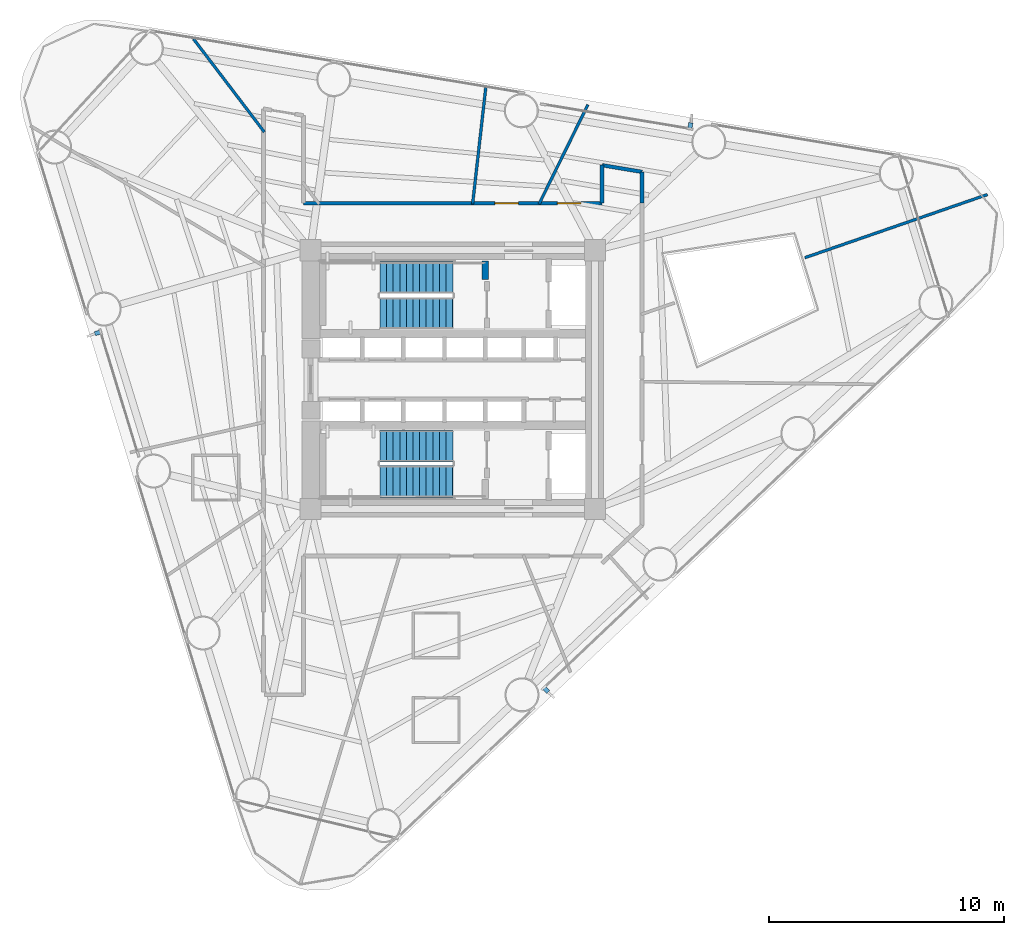
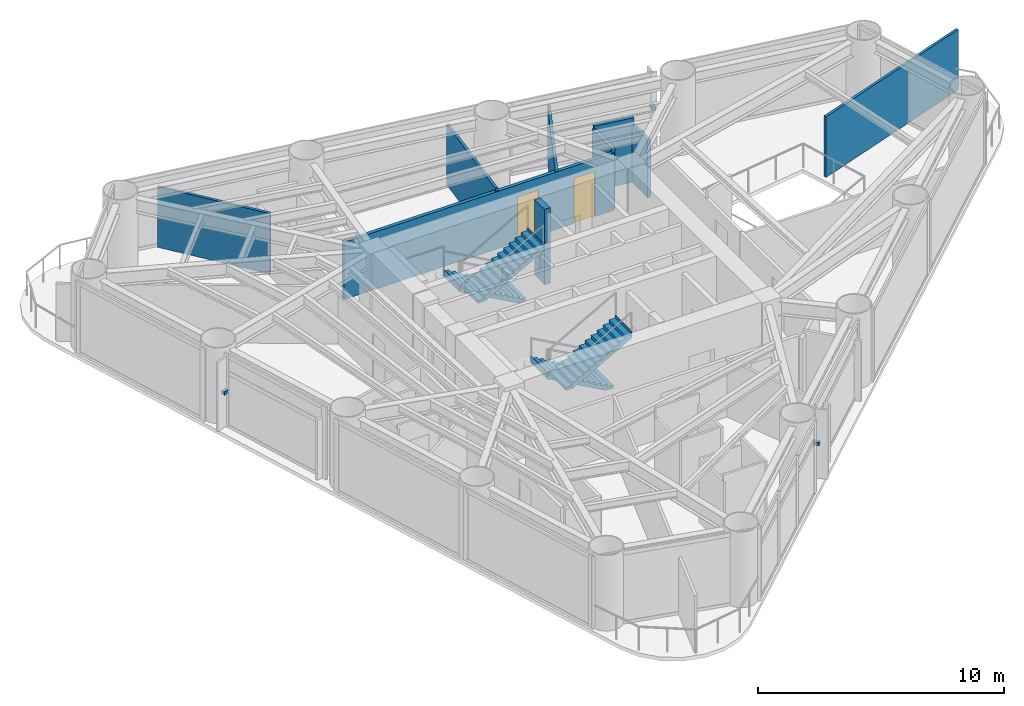
# One storey, part 7 of 10: 9 walls, 4 stair flights, 3 discrete accessories, 2 doors, 2 openings, 2 elements without a shape of their own.
"""IFC4 building model written with IfcOpenShell, lengths in metres."""

import ifcopenshell
import ifcopenshell.guid

model = None  # the IFC model being written
_history = None  # IfcOwnerHistory: only IFC2X3 demands one
_inside = {}  # id of a spatial element -> (the spatial element, [elements in it])
_under = {}  # id of a project, library or spatial element -> (it, [spatial elements below it])
_declared = {}  # id of a project -> (the project, [libraries it declares])
_typed = {}  # id of a type object -> (the type object, [elements of that type])
_made_of = {}  # id of a material, layer set ... -> (it, [elements and type objects made of it])


def new_model(schema):
    """Start an empty IFC model of exactly this schema.

    Asked for "IFC4X3", IfcOpenShell would pick the latest addendum, in which some entities
    have other attributes; the version numbers below select the first issue.
    IFC2X3 requires an IfcOwnerHistory on every rooted entity: one is made here for all.
    """
    global model, _history
    if schema == "IFC4X3":
        model = ifcopenshell.file(schema_version=(4, 3, 0, 0))
    else:
        model = ifcopenshell.file(schema=schema)
    _inside.clear()
    _under.clear()
    _declared.clear()
    _typed.clear()
    _made_of.clear()
    _history = None
    if model.schema == "IFC2X3":
        org = make("IfcOrganization", Name="unknown")
        user = make(
            "IfcPersonAndOrganization",
            ThePerson=make("IfcPerson", FamilyName="unknown"),
            TheOrganization=org,
        )
        app = make(
            "IfcApplication",
            ApplicationDeveloper=org,
            Version="unknown",
            ApplicationFullName="unknown",
            ApplicationIdentifier="unknown",
        )
        _history = make(
            "IfcOwnerHistory",
            OwningUser=user,
            OwningApplication=app,
            ChangeAction="ADDED",
            CreationDate=0,
        )
    return model


def make(cls, **values):
    """One entity of the class cls with the attributes given. An attribute that is None is left unset."""
    return model.create_entity(
        cls, **{name: value for name, value in values.items() if value is not None}
    )


def rooted(cls, **values):
    """An entity with a GlobalId (a new one), such as an element, a storey or a relation."""
    return make(cls, GlobalId=ifcopenshell.guid.new(), OwnerHistory=_history, **values)


def si_unit(unit_type, name, prefix=None):
    """IfcSIUnit, for example si_unit("LENGTHUNIT", "METRE", prefix="MILLI")."""
    return make("IfcSIUnit", UnitType=unit_type, Prefix=prefix, Name=name)


def assignment(units):
    """IfcUnitAssignment: the units of a project."""
    return None if units is None else make("IfcUnitAssignment", Units=units)


def point(xyz):
    """IfcCartesianPoint."""
    return None if xyz is None else make("IfcCartesianPoint", Coordinates=xyz)


def direction(xyz):
    """IfcDirection."""
    return None if xyz is None else make("IfcDirection", DirectionRatios=xyz)


def frame(location, z_axis=None, x_axis=None):
    """IfcAxis2Placement3D, a coordinate frame: its origin and axes. An axis left out is left unset."""
    return make(
        "IfcAxis2Placement3D",
        Location=point(location),
        Axis=direction(z_axis),
        RefDirection=direction(x_axis),
    )


def frame_2d(location, x_axis=None):
    """IfcAxis2Placement2D, a coordinate frame in the plane: its origin and x axis."""
    return make(
        "IfcAxis2Placement2D", Location=point(location), RefDirection=direction(x_axis)
    )


def origin():
    """The frame at (0, 0, 0) with its axes left unset."""
    return frame((0.0, 0.0, 0.0))


def origin_2d():
    """The frame at (0, 0) in the plane with its x axis left unset."""
    return frame_2d((0.0, 0.0))


def place(relative_to, where):
    """IfcLocalPlacement: puts the frame where relative to a parent placement (None: the world)."""
    return make(
        "IfcLocalPlacement", PlacementRelTo=relative_to, RelativePlacement=where
    )


def context(
    kind, dimensions, precision=None, world=None, true_north=None, identifier=None
):
    """IfcGeometricRepresentationContext, for example the 3D "Model" context."""
    return make(
        "IfcGeometricRepresentationContext",
        ContextIdentifier=identifier,
        ContextType=kind,
        CoordinateSpaceDimension=dimensions,
        Precision=precision,
        WorldCoordinateSystem=world,
        TrueNorth=true_north,
    )


def subcontext(parent, identifier, kind, view, scale=None):
    """IfcGeometricRepresentationSubContext, for example "Body" below "Model"."""
    return make(
        "IfcGeometricRepresentationSubContext",
        ContextIdentifier=identifier,
        ContextType=kind,
        ParentContext=parent,
        TargetScale=scale,
        TargetView=view,
    )


def project(units=None, contexts=None):
    """IfcProject with its units and contexts."""
    return rooted(
        "IfcProject",
        Name="project",
        RepresentationContexts=contexts,
        UnitsInContext=assignment(units),
    )


def spatial(cls, under=None, at=None, **own):
    """A site, building, storey or space (cls), placed at a placement, below another one or the project."""
    s = rooted(cls, ObjectPlacement=at, **own)
    if under is not None:
        _under.setdefault(under.id(), (under, []))[1].append(s)
    return s


def polyline(points):
    """IfcPolyline through the points."""
    return make("IfcPolyline", Points=[point(p) for p in points])


def profile(cls, at=None, kind="AREA", **sizes):
    """A parametric profile (cls). Its sizes go by their IFC names, for example OverallWidth=200.0."""
    return make(cls, ProfileType=kind, Position=at, **sizes)


def rectangle(**sizes):
    """IfcRectangleProfileDef."""
    return profile("IfcRectangleProfileDef", **sizes)


def outline(outer, holes=None, kind="AREA"):
    """IfcArbitraryClosedProfileDef: a profile drawn as a closed curve; with holes, ...WithVoids."""
    if holes is None:
        return make("IfcArbitraryClosedProfileDef", ProfileType=kind, OuterCurve=outer)
    return make(
        "IfcArbitraryProfileDefWithVoids",
        ProfileType=kind,
        OuterCurve=outer,
        InnerCurves=holes,
    )


def extrude(swept, where, along, depth):
    """IfcExtrudedAreaSolid: the profile swept, set in the frame where, extruded along a direction by depth."""
    return make(
        "IfcExtrudedAreaSolid",
        SweptArea=swept,
        Position=where,
        ExtrudedDirection=direction(along),
        Depth=depth,
    )


def shape(context_of_items, identifier, shape_type, items):
    """IfcShapeRepresentation: the items that make up one representation, for example the "Body"."""
    return make(
        "IfcShapeRepresentation",
        ContextOfItems=context_of_items,
        RepresentationIdentifier=identifier,
        RepresentationType=shape_type,
        Items=items,
    )


def source(mapping_origin, context_of_items, identifier, shape_type, items):
    """IfcRepresentationMap: a shape defined once, which mapped items show again and again."""
    return make(
        "IfcRepresentationMap",
        MappingOrigin=mapping_origin,
        MappedRepresentation=shape(context_of_items, identifier, shape_type, items),
    )


def transform(
    local_origin,
    x_axis=None,
    y_axis=None,
    z_axis=None,
    scale=None,
    scale2=None,
    scale3=None,
    uniform=True,
):
    """IfcCartesianTransformationOperator3D, or its non-uniform kind. x_axis, y_axis, z_axis: its Axis1, 2, 3."""
    if uniform:
        return make(
            "IfcCartesianTransformationOperator3D",
            Axis1=direction(x_axis),
            Axis2=direction(y_axis),
            LocalOrigin=point(local_origin),
            Scale=scale,
            Axis3=direction(z_axis),
        )
    return make(
        "IfcCartesianTransformationOperator3DnonUniform",
        Axis1=direction(x_axis),
        Axis2=direction(y_axis),
        LocalOrigin=point(local_origin),
        Scale=scale,
        Axis3=direction(z_axis),
        Scale2=scale2,
        Scale3=scale3,
    )


def mapped(mapping_source, mapping_target):
    """IfcMappedItem: shows the shape of a source again, moved by a transform."""
    return make(
        "IfcMappedItem", MappingSource=mapping_source, MappingTarget=mapping_target
    )


def material(Name=None, Category=None):
    """IfcMaterial."""
    return make("IfcMaterial", Name=Name, Category=Category)


def layer(
    of_material, thickness, ventilated=None, Name=None, Category=None, Priority=None
):
    """IfcMaterialLayer: one layer of a wall or slab, of a material (None: an air gap)."""
    return make(
        "IfcMaterialLayer",
        Material=of_material,
        LayerThickness=thickness,
        IsVentilated=ventilated,
        Name=Name,
        Category=Category,
        Priority=Priority,
    )


def layer_set(layers, Name=None):
    """IfcMaterialLayerSet."""
    return make("IfcMaterialLayerSet", MaterialLayers=layers, LayerSetName=Name)


def made_of(thing, what):
    """Note that an element or type object is made of a material, layer set ...; save() writes the relation."""
    if what is not None:
        _made_of.setdefault(what.id(), (what, []))[1].append(thing)
    return thing


def type_object(cls, material=None, **own):
    """A type object (cls), such as IfcWallType, which elements share."""
    return made_of(rooted(cls, **own), material)


def element(
    cls,
    number,
    at=None,
    inside=None,
    cuts=None,
    type_object=None,
    material=None,
    context=None,
    identifier="Body",
    shape_type=None,
    held_by="IfcProductDefinitionShape",
    body=None,
    shapes=None,
    **own,
):
    """One element of the class cls, such as IfcWall. Its Tag is "e" and its number.

    at: its placement. inside: the storey or other place that contains it. cuts: it is an
    opening in that element (IfcRelVoidsElement). A single representation is given by context,
    identifier, shape_type and body (its items); several are given by shapes. held_by: the class
    of the entity that holds the representations. save() writes the other relations.
    """
    e = rooted(cls, Tag="e%d" % number, ObjectPlacement=at, **own)
    if body is not None:
        shapes = [shape(context, identifier, shape_type, body)]
    if shapes is not None:
        e.Representation = make(held_by, Representations=shapes)
    if inside is not None:
        _inside.setdefault(inside.id(), (inside, []))[1].append(e)
    if cuts is not None:
        rooted(
            "IfcRelVoidsElement", RelatingBuildingElement=cuts, RelatedOpeningElement=e
        )
    if type_object is not None:
        _typed.setdefault(type_object.id(), (type_object, []))[1].append(e)
    return made_of(e, material)


def fill(opening, filler):
    """IfcRelFillsElement: the door or window that sits in an opening."""
    return rooted(
        "IfcRelFillsElement",
        RelatingOpeningElement=opening,
        RelatedBuildingElement=filler,
    )


def aggregate(whole, parts):
    """IfcRelAggregates: a whole, such as a stair, and the parts it consists of."""
    return rooted("IfcRelAggregates", RelatingObject=whole, RelatedObjects=parts)


def save(model, path):
    """Write the relations noted so far, then the file.

    IfcRelAggregates (storeys below a building ...), IfcRelContainedInSpatialStructure (elements
    in a storey), IfcRelDefinesByType, IfcRelAssociatesMaterial and IfcRelDeclares: one each for
    every whole, place, type object, material and project.
    """
    for whole, parts in _under.values():
        aggregate(whole, parts)
    for where, things in _inside.values():
        rooted(
            "IfcRelContainedInSpatialStructure",
            RelatedElements=things,
            RelatingStructure=where,
        )
    for kind, things in _typed.values():
        rooted("IfcRelDefinesByType", RelatedObjects=things, RelatingType=kind)
    for what, things in _made_of.values():
        rooted("IfcRelAssociatesMaterial", RelatedObjects=things, RelatingMaterial=what)
    for by, libraries in _declared.values():
        rooted("IfcRelDeclares", RelatingContext=by, RelatedDefinitions=libraries)
    model.write(path)


model = new_model("IFC4")

# Units and contexts
model_context = context("Model", 3, precision=1e-05, world=origin(), true_north=direction((0.0, 1.0)))
body_context = subcontext(model_context, "Body", "Model", "MODEL_VIEW")
ifc_project = project(units=[si_unit("LENGTHUNIT", "METRE"), si_unit("AREAUNIT", "SQUARE_METRE"), si_unit("VOLUMEUNIT", "CUBIC_METRE"), si_unit("PLANEANGLEUNIT", "RADIAN"), si_unit("MASSUNIT", "GRAM", prefix="KILO")], contexts=[model_context])

# Site, building, storey
site_placement = place(None, origin())
site = spatial("IfcSite", under=ifc_project, at=site_placement, CompositionType="ELEMENT")
building_placement = place(site_placement, origin())
building = spatial("IfcBuilding", under=site, at=building_placement, Name="Yunling Apex Tower", CompositionType="ELEMENT")
storey_placement = place(building_placement, frame((0.0, 0.0, 97.39990234375)))
storey = spatial("IfcBuildingStorey", under=building, at=storey_placement, Name="L24", CompositionType="ELEMENT", Elevation=97.39990234375)

# Wall
ifc_material_1 = material(Name="Concrete C40", Category="concrete")
ifc_layer_1 = layer(ifc_material_1, 0.280029296875)
ifc_layer_set_1 = layer_set([ifc_layer_1], Name="Concrete C40")
wall_type_1 = type_object("IfcWallType", Name="WL-COR-8", PredefinedType="SHEAR", material=ifc_layer_set_1)
wall_1_placement = place(storey_placement, frame((1.3798828125, 4.25, 0.0), z_axis=(0.0, 0.0, 1.0), x_axis=(0.0, 1.0, 0.0)))
element("IfcWall", 1, at=wall_1_placement, inside=storey, type_object=wall_type_1, Name="L24 ST-1 East Landing Bearing Pier", PredefinedType="SHEAR", context=body_context, shape_type="SweptSolid", body=[
    extrude(rectangle(XDim=0.800048828125, YDim=0.280029296875, at=frame_2d((0.39990234375, 0.0))), origin(), (0.0, 0.0, 1.0), 3.75),
])

# Wall, openings, doors
ifc_material_2 = material(Name="Gypsum board acoustic partition")
ifc_layer_2 = layer(ifc_material_2, 0.159912109375)
ifc_layer_set_2 = layer_set([ifc_layer_2], Name="Gypsum board acoustic partition")
wall_type_2 = type_object("IfcWallType", Name="WL-PRT-1", PredefinedType="PARTITIONING", material=ifc_layer_set_2)
wall_2_placement = place(storey_placement, frame((-6.35009765625, 7.5, 0.0), z_axis=(0.0, 0.0, 1.0), x_axis=(1.0, 0.0, 0.0)))
wall_2 = element("IfcWall", 2, at=wall_2_placement, inside=storey, type_object=wall_type_2, Name="WL-CORR-L24-06", PredefinedType="PARTITIONING", context=body_context, shape_type="SweptSolid", body=[
    extrude(rectangle(XDim=12.7001953125, YDim=0.159912109375, at=frame_2d((6.35009765625, 0.0))), origin(), (0.0, 0.0, 1.0), 2.85009765625),
])
opening_1_placement = place(wall_2_placement, frame((8.14013671875, 0.0, 0.0)))
opening_1 = element("IfcOpeningElement", 3, at=opening_1_placement, cuts=wall_2, Name="Opening DR-OFF-1", PredefinedType="OPENING", context=body_context, shape_type="SweptSolid", body=[
    extrude(rectangle(XDim=1.0, YDim=2.25, at=frame_2d((0.5, 1.125))), frame((0.0, 0.08984375, 0.0), z_axis=(0.0, -1.0, 0.0), x_axis=(1.0, 0.0, 0.0)), (0.0, 0.0, 1.0), 0.179931640625),
])
opening_2_placement = place(wall_2_placement, frame((10.799072265625, 0.0, 0.0)))
opening_2 = element("IfcOpeningElement", 4, at=opening_2_placement, cuts=wall_2, Name="Opening DR-OFF-1", PredefinedType="OPENING", context=body_context, shape_type="SweptSolid", body=[
    extrude(rectangle(XDim=1.0, YDim=2.25, at=frame_2d((0.5, 1.125))), frame((0.0, 0.08984375, 0.0), z_axis=(0.0, -1.0, 0.0), x_axis=(1.0, 0.0, 0.0)), (0.0, 0.0, 1.0), 0.179931640625),
])
ifc_material_3 = material(Name="Bronze anodised aluminium", Category="aluminium")
door_type = type_object("IfcDoorType", Name="DR-OFF-1", OperationType="NOTDEFINED", PredefinedType="DOOR", material=ifc_material_3)
door_1_placement = place(opening_1_placement, origin())
door_1 = element("IfcDoor", 5, at=door_1_placement, inside=storey, type_object=door_type, Name="L24 Administration Staff Room Door", OperationType="SINGLE_SWING_LEFT", OverallHeight=2.25, OverallWidth=1.0, PredefinedType="DOOR", context=body_context, shape_type="SweptSolid", body=[
    extrude(rectangle(XDim=1.0, YDim=2.25, at=frame_2d((0.5, 1.125))), frame((0.0, 0.02490234375, 0.0), z_axis=(0.0, -1.0, 0.0), x_axis=(1.0, 0.0, 0.0)), (0.0, 0.0, 1.0), 0.050048828125),
])
fill(opening_1, door_1)
door_2_placement = place(opening_2_placement, origin())
door_2 = element("IfcDoor", 6, at=door_2_placement, inside=storey, type_object=door_type, Name="L24 Open Plan Office Door", OperationType="SINGLE_SWING_RIGHT", OverallHeight=2.25, OverallWidth=1.0, PredefinedType="DOOR", context=body_context, shape_type="SweptSolid", body=[
    extrude(rectangle(XDim=1.0, YDim=2.25, at=frame_2d((0.5, 1.125))), frame((0.0, 0.02490234375, 0.0), z_axis=(0.0, -1.0, 0.0), x_axis=(1.0, 0.0, 0.0)), (0.0, 0.0, 1.0), 0.050048828125),
])
fill(opening_2, door_2)

# Walls
wall_3_placement = place(storey_placement, frame((6.35009765625, 7.5, 0.0), z_axis=(0.0, 0.0, 1.0), x_axis=(0.0, 1.0, 0.0)))
element("IfcWall", 7, at=wall_3_placement, inside=storey, type_object=wall_type_2, Name="WL-CORR-L24-07", PredefinedType="PARTITIONING", context=body_context, shape_type="SweptSolid", body=[
    extrude(rectangle(XDim=1.613037109375, YDim=0.159912109375, at=frame_2d((0.806640625, 0.0))), origin(), (0.0, 0.0, 1.0), 3.050048828125),
])
wall_4_placement = place(storey_placement, frame((6.35009765625, 9.113037109375, 0.0), z_axis=(0.0, 0.0, 1.0), x_axis=(0.986405407683, -0.164330069354, 0.0)))
element("IfcWall", 8, at=wall_4_placement, inside=storey, type_object=wall_type_2, Name="WL-CORR-L24-08", PredefinedType="PARTITIONING", context=body_context, shape_type="SweptSolid", body=[
    extrude(rectangle(XDim=1.723388671875, YDim=0.159912109375, at=frame_2d((0.86181640625, 0.0))), origin(), (0.0, 0.0, 1.0), 3.2001953125),
])
wall_5_placement = place(storey_placement, frame((8.050048828125, 8.829833984375, 0.0), z_axis=(0.0, 0.0, 1.0), x_axis=(0.0, -1.0, 0.0)))
element("IfcWall", 9, at=wall_5_placement, inside=storey, type_object=wall_type_2, Name="WL-CORR-L24-09", PredefinedType="PARTITIONING", context=body_context, shape_type="SweptSolid", body=[
    extrude(rectangle(XDim=1.329833984375, YDim=0.159912109375, at=frame_2d((0.6650390625, 0.0))), origin(), (0.0, 0.0, 1.0), 2.85009765625),
])
ifc_layer_3 = layer(ifc_material_2, 0.1201171875)
ifc_layer_set_3 = layer_set([ifc_layer_3], Name="Gypsum board acoustic partition")
wall_type_3 = type_object("IfcWallType", Name="WL-PRT-3", PredefinedType="PARTITIONING", material=ifc_layer_set_3)
wall_6_placement = place(storey_placement, frame((14.96923828125, 5.180908203125, 0.0), z_axis=(0.0, 0.0, 1.0), x_axis=(0.945001266043, 0.327066670843, 0.0)))
element("IfcWall", 10, at=wall_6_placement, inside=storey, type_object=wall_type_3, Name="WL-RAD-L24-09", PredefinedType="PARTITIONING", context=body_context, shape_type="SweptSolid", body=[
    extrude(rectangle(XDim=8.21484375, YDim=0.1201171875, at=frame_2d((4.107421875, 0.0))), origin(), (0.0, 0.0, 1.0), 3.010009765625),
])
wall_7_placement = place(storey_placement, frame((3.667724609375, 7.4599609375, 0.0), z_axis=(0.0, 0.0, 1.0), x_axis=(0.441212238914, 0.897402785951, 0.0)))
element("IfcWall", 11, at=wall_7_placement, inside=storey, type_object=wall_type_3, Name="WL-RAD-L24-10", PredefinedType="PARTITIONING", context=body_context, shape_type="SweptSolid", body=[
    extrude(rectangle(XDim=4.710693359375, YDim=0.1201171875, at=frame_2d((2.35546875, 0.0))), origin(), (0.0, 0.0, 1.0), 2.85009765625),
])
wall_8_placement = place(storey_placement, frame((0.843994140625, 7.4599609375, 0.0), z_axis=(0.0, 0.0, 1.0), x_axis=(0.112405035284, 0.99366247189, 0.0)))
element("IfcWall", 12, at=wall_8_placement, inside=storey, type_object=wall_type_3, Name="WL-RAD-L24-11", PredefinedType="PARTITIONING", context=body_context, shape_type="SweptSolid", body=[
    extrude(rectangle(XDim=4.982421875, YDim=0.1201171875, at=frame_2d((2.4912109375, 0.0))), origin(), (0.0, 0.0, 1.0), 3.010009765625),
])
wall_9_placement = place(storey_placement, frame((-8.010009765625, 10.52490234375, 0.0), z_axis=(0.0, 0.0, 1.0), x_axis=(-0.605587414203, 0.79577879072, 0.0)))
element("IfcWall", 13, at=wall_9_placement, inside=storey, type_object=wall_type_3, Name="WL-RAD-L24-13", PredefinedType="PARTITIONING", context=body_context, shape_type="SweptSolid", body=[
    extrude(rectangle(XDim=4.9716796875, YDim=0.1201171875, at=frame_2d((2.48583984375, 0.0))), origin(), (0.0, 0.0, 1.0), 3.010009765625),
])

# Stair, stair flights
stair_type = type_object("IfcStairType", Name="ST-TWR-1", PredefinedType="HALF_TURN_STAIR", material=ifc_material_1)
stair_1_placement = place(storey_placement, origin())
stair_1 = element("IfcStair", 14, at=stair_1_placement, inside=storey, type_object=stair_type, Name="L24 North Core Smokeproof Exit Stair ST-1", PredefinedType="HALF_TURN_STAIR")
stair_flight_type = type_object("IfcStairFlightType", Name="SFL-TWR-1", PredefinedType="STRAIGHT", material=ifc_material_1)
stair_flight_1_placement = place(storey_placement, frame((-0.010009765625, 4.330078125, 0.0), z_axis=(0.0, 0.0, 1.0), x_axis=(-1.0, 0.0, 0.0)))
stair_flight_1 = element("IfcStairFlight", 15, at=stair_flight_1_placement, type_object=stair_flight_type, Name="ST-1 flight 1", NumberOfRisers=12, NumberOfTreads=11, PredefinedType="STRAIGHT", RiserHeight=0.15625, TreadLength=0.28, context=body_context, shape_type="SweptSolid", body=[
    extrude(outline(polyline([(-0.011962890625, 0.0), (-0.011962890625, 0.15625), (0.0, 0.15625), (0.280029296875, 0.15625), (0.280029296875, 0.3125), (0.56005859375, 0.3125), (0.56005859375, 0.46875), (0.840087890625, 0.46875), (0.840087890625, 0.625), (1.1201171875, 0.625), (1.1201171875, 0.78125), (1.39990234375, 0.78125), (1.39990234375, 0.9375), (1.679931640625, 0.9375), (1.679931640625, 1.09375), (1.9599609375, 1.09375), (1.9599609375, 1.25), (2.239990234375, 1.25), (2.239990234375, 1.40625), (2.52001953125, 1.40625), (2.52001953125, 1.5625), (2.800048828125, 1.5625), (2.800048828125, 1.71875), (3.080078125, 1.71875), (3.080078125, 1.875), (3.092041015625, 1.875), (3.092041015625, 1.53564453125), (0.328125, 0.0), (-0.011962890625, 0.0)])), frame((0.0, 0.68017578125, 0.0), z_axis=(0.0, -1.0, 0.0), x_axis=(1.0, 0.0, 0.0)), (0.0, 0.0, 1.0), 1.360107421875),
])
stair_flight_2_placement = place(storey_placement, frame((-3.090087890625, 2.820068359375, 1.875), z_axis=(0.0, 0.0, 1.0), x_axis=(1.0, 0.0, 0.0)))
stair_flight_2 = element("IfcStairFlight", 16, at=stair_flight_2_placement, type_object=stair_flight_type, Name="ST-1 flight 2", NumberOfRisers=12, NumberOfTreads=11, PredefinedType="STRAIGHT", RiserHeight=0.15625, TreadLength=0.28, context=body_context, shape_type="SweptSolid", body=[
    extrude(outline(polyline([(-0.011962890625, 0.0), (-0.011962890625, 0.15625), (0.0, 0.15625), (0.280029296875, 0.15625), (0.280029296875, 0.3125), (0.56005859375, 0.3125), (0.56005859375, 0.46875), (0.840087890625, 0.46875), (0.840087890625, 0.625), (1.1201171875, 0.625), (1.1201171875, 0.78125), (1.39990234375, 0.78125), (1.39990234375, 0.9375), (1.679931640625, 0.9375), (1.679931640625, 1.09375), (1.9599609375, 1.09375), (1.9599609375, 1.25), (2.239990234375, 1.25), (2.239990234375, 1.40625), (2.52001953125, 1.40625), (2.52001953125, 1.5625), (2.800048828125, 1.5625), (2.800048828125, 1.71875), (3.080078125, 1.71875), (3.080078125, 1.875), (3.092041015625, 1.875), (3.092041015625, 1.53564453125), (0.328125, 0.0), (-0.011962890625, 0.0)])), frame((0.0, 0.68017578125, 0.0), z_axis=(0.0, -1.0, 0.0), x_axis=(1.0, 0.0, 0.0)), (0.0, 0.0, 1.0), 1.360107421875),
])
aggregate(stair_1, [stair_flight_1, stair_flight_2])

stair_2_placement = place(storey_placement, origin())
stair_2 = element("IfcStair", 17, at=stair_2_placement, inside=storey, type_object=stair_type, Name="L24 South Core Smokeproof Exit Stair ST-2", PredefinedType="HALF_TURN_STAIR")
stair_flight_3_placement = place(storey_placement, frame((-0.010009765625, -2.820068359375, 0.0), z_axis=(0.0, 0.0, 1.0), x_axis=(-1.0, 0.0, 0.0)))
stair_flight_3 = element("IfcStairFlight", 18, at=stair_flight_3_placement, type_object=stair_flight_type, Name="ST-2 flight 1", NumberOfRisers=12, NumberOfTreads=11, PredefinedType="STRAIGHT", RiserHeight=0.15625, TreadLength=0.28, context=body_context, shape_type="SweptSolid", body=[
    extrude(outline(polyline([(-0.011962890625, 0.0), (-0.011962890625, 0.15625), (0.0, 0.15625), (0.280029296875, 0.15625), (0.280029296875, 0.3125), (0.56005859375, 0.3125), (0.56005859375, 0.46875), (0.840087890625, 0.46875), (0.840087890625, 0.625), (1.1201171875, 0.625), (1.1201171875, 0.78125), (1.39990234375, 0.78125), (1.39990234375, 0.9375), (1.679931640625, 0.9375), (1.679931640625, 1.09375), (1.9599609375, 1.09375), (1.9599609375, 1.25), (2.239990234375, 1.25), (2.239990234375, 1.40625), (2.52001953125, 1.40625), (2.52001953125, 1.5625), (2.800048828125, 1.5625), (2.800048828125, 1.71875), (3.080078125, 1.71875), (3.080078125, 1.875), (3.092041015625, 1.875), (3.092041015625, 1.53564453125), (0.328125, 0.0), (-0.011962890625, 0.0)])), frame((0.0, 0.68017578125, 0.0), z_axis=(0.0, -1.0, 0.0), x_axis=(1.0, 0.0, 0.0)), (0.0, 0.0, 1.0), 1.360107421875),
])
stair_flight_4_placement = place(storey_placement, frame((-3.090087890625, -4.330078125, 1.875), z_axis=(0.0, 0.0, 1.0), x_axis=(1.0, 0.0, 0.0)))
stair_flight_4 = element("IfcStairFlight", 19, at=stair_flight_4_placement, type_object=stair_flight_type, Name="ST-2 flight 2", NumberOfRisers=12, NumberOfTreads=11, PredefinedType="STRAIGHT", RiserHeight=0.15625, TreadLength=0.28, context=body_context, shape_type="SweptSolid", body=[
    extrude(outline(polyline([(-0.011962890625, 0.0), (-0.011962890625, 0.15625), (0.0, 0.15625), (0.280029296875, 0.15625), (0.280029296875, 0.3125), (0.56005859375, 0.3125), (0.56005859375, 0.46875), (0.840087890625, 0.46875), (0.840087890625, 0.625), (1.1201171875, 0.625), (1.1201171875, 0.78125), (1.39990234375, 0.78125), (1.39990234375, 0.9375), (1.679931640625, 0.9375), (1.679931640625, 1.09375), (1.9599609375, 1.09375), (1.9599609375, 1.25), (2.239990234375, 1.25), (2.239990234375, 1.40625), (2.52001953125, 1.40625), (2.52001953125, 1.5625), (2.800048828125, 1.5625), (2.800048828125, 1.71875), (3.080078125, 1.71875), (3.080078125, 1.875), (3.092041015625, 1.875), (3.092041015625, 1.53564453125), (0.328125, 0.0), (-0.011962890625, 0.0)])), frame((0.0, 0.68017578125, 0.0), z_axis=(0.0, -1.0, 0.0), x_axis=(1.0, 0.0, 0.0)), (0.0, 0.0, 1.0), 1.360107421875),
])
aggregate(stair_2, [stair_flight_3, stair_flight_4])

# Discrete accessories
ifc_material_4 = material(Name="Steel Q355B", Category="steel")
discrete_accessory_type = type_object("IfcDiscreteAccessoryType", Name="BK-FIN-1", PredefinedType="BRACKET", material=ifc_material_4)
shared_shape = source(origin(), body_context, "Body", "SweptSolid", [
    extrude(rectangle(XDim=0.179931640625, YDim=0.260009765625, at=origin_2d()), origin(), (0.0, 0.0, 1.0), 0.159912109375),
])
for number, where, z_axis, x_axis, name in (
    (20, (3.9658203125, -13.191162109375, 1.70263671875), (0.0, 0.0, 1.0), (0.725854756355, 0.687848001144, 0.0), "CW-L24-F1-B2-BRK-01-1"),
    (21, (10.10009765625, 10.789306640625, 1.70263671875), (0.0, 0.0, 1.0), (-0.986400586142, 0.164359008451, 0.0), "CW-L24-F2-B2-BRK-01-1"),
    (22, (-15.0888671875, 1.988037109375, 1.70263671875), (0.0, 0.0, 1.0), (0.292371704723, -0.956304755963, 0.0), "CW-L24-F3-B2-BRK-01-1"),
):
    element("IfcDiscreteAccessory", number, at=place(storey_placement, frame(where, z_axis=z_axis, x_axis=x_axis)), inside=storey, type_object=discrete_accessory_type, Name=name, PredefinedType="BRACKET", context=body_context, shape_type="MappedRepresentation", body=[
        mapped(shared_shape, transform((0.0, 0.0, 0.0), scale=1.0)),
    ])

save(model, "model.ifc")
